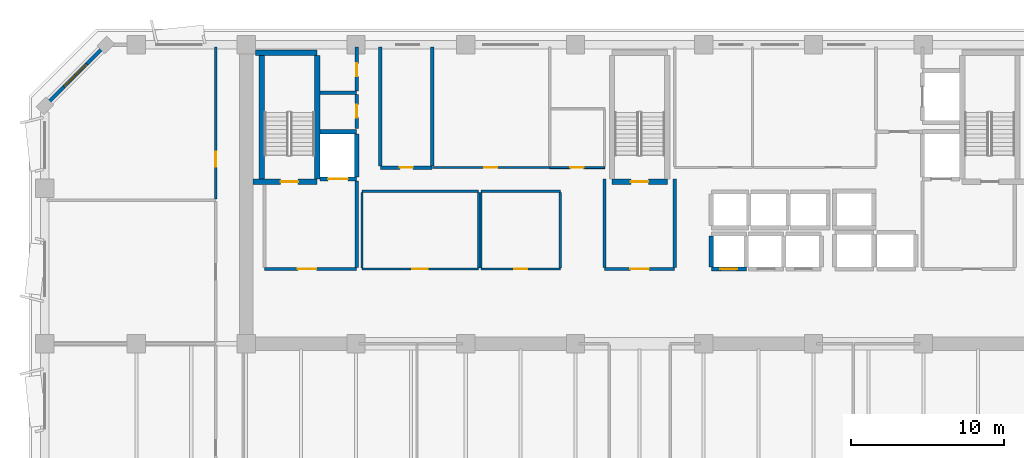
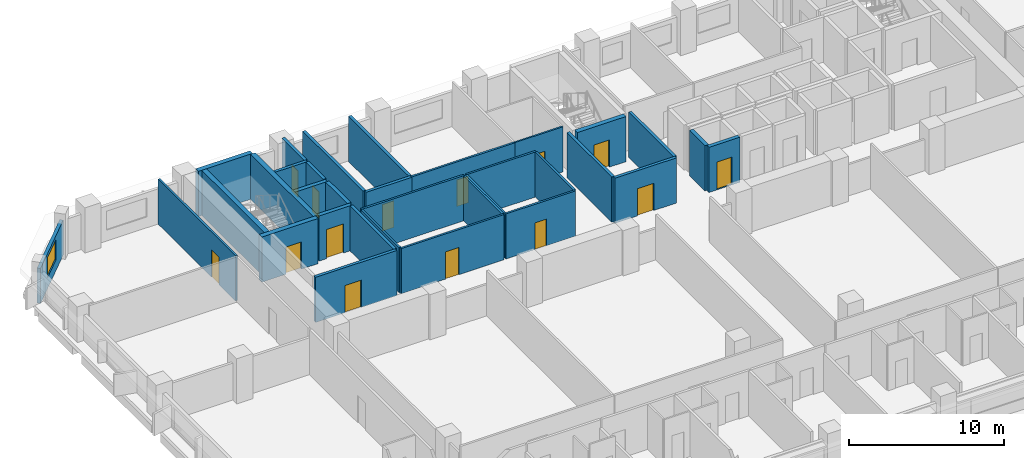
# One storey, part 7 of 15: 33 walls, 14 doors, 1 window, 15 openings.
"""IFC4 building model written with IfcOpenShell, lengths in metres."""

from ifc_helpers import new_model, si_unit, direction, frame, frame_2d, origin, place, context, subcontext, project, spatial, rectangle, extrude, material, layer, layer_set, type_object, element, fill, save


model = new_model("IFC4")

# Units and contexts
model_context = context("Model", 3, precision=1e-05, world=origin(), true_north=direction((0.0, 1.0)))
body_context = subcontext(model_context, "Body", "Model", "MODEL_VIEW")
ifc_project = project(units=[si_unit("LENGTHUNIT", "METRE"), si_unit("AREAUNIT", "SQUARE_METRE"), si_unit("VOLUMEUNIT", "CUBIC_METRE"), si_unit("PLANEANGLEUNIT", "RADIAN"), si_unit("MASSUNIT", "GRAM", prefix="KILO")], contexts=[model_context])

# Site, building, storey
site_placement = place(None, origin())
site = spatial("IfcSite", under=ifc_project, at=site_placement, CompositionType="ELEMENT")
building_placement = place(site_placement, origin())
building = spatial("IfcBuilding", under=site, at=building_placement, Name="Kaelvorn Grand Hotel", CompositionType="ELEMENT")
storey_placement = place(building_placement, frame((0.0, 0.0, 146.75)))
storey = spatial("IfcBuildingStorey", under=building, at=storey_placement, Name="L35", CompositionType="ELEMENT", Elevation=146.75)

# Wall, opening, window
ifc_material_1 = material(Name="Concrete C40/50", Category="concrete")
ifc_layer_1 = layer(ifc_material_1, 0.239990234375)
ifc_layer_set_1 = layer_set([ifc_layer_1], Name="Concrete C40/50")
wall_type_1 = type_object("IfcWallType", Name="WL-EXT-240-C40", PredefinedType="SOLIDWALL", material=ifc_layer_set_1)
wall_1_placement = place(storey_placement, frame((7.0, 49.0, 0.0), z_axis=(0.0, 0.0, 1.0), x_axis=(-0.707106781187, -0.707106781187, 0.0)))
wall_1 = element("IfcWall", 1, at=wall_1_placement, inside=storey, type_object=wall_type_1, Name="L35 Exterior Architectural Concrete Wall 06", PredefinedType="SOLIDWALL", context=body_context, shape_type="SweptSolid", body=[
    extrude(rectangle(XDim=5.65673828125, YDim=0.239990234375, at=frame_2d((2.828369140625, 0.0))), origin(), (0.0, 0.0, 1.0), 2.760009765625),
])
opening_1_placement = place(wall_1_placement, frame((1.7783203125, 0.0, 0.85009765625)))
opening_1 = element("IfcOpeningElement", 2, at=opening_1_placement, cuts=wall_1, Name="Opening W7", PredefinedType="OPENING", context=body_context, shape_type="SweptSolid", body=[
    extrude(rectangle(XDim=2.10009765625, YDim=1.60009765625, at=frame_2d((1.050048828125, 0.800048828125))), frame((0.0, 0.1298828125, 0.0), z_axis=(0.0, -1.0, 0.0), x_axis=(1.0, 0.0, 0.0)), (0.0, 0.0, 1.0), 0.260009765625),
])
ifc_material_2 = material(Name="Laminated Low-E Glass", Category="glass")
window_type = type_object("IfcWindowType", Name="WIN-CHM-2100x1600", PartitioningType="SINGLE_PANEL", PredefinedType="WINDOW", material=ifc_material_2)
window_placement = place(opening_1_placement, origin())
window = element("IfcWindow", 3, at=window_placement, inside=storey, type_object=window_type, Name="L35 Chamfered 45-Degree Corner Window NW", OverallHeight=1.60009765625, OverallWidth=2.10009765625, PartitioningType="SINGLE_PANEL", PredefinedType="WINDOW", context=body_context, shape_type="SweptSolid", body=[
    extrude(rectangle(XDim=2.10009765625, YDim=1.60009765625, at=frame_2d((1.050048828125, 0.800048828125))), frame((0.0, 0.030029296875, 0.0), z_axis=(0.0, -1.0, 0.0), x_axis=(1.0, 0.0, 0.0)), (0.0, 0.0, 1.0), 0.06005859375),
])
fill(opening_1, window)

# Wall, opening, door
ifc_material_3 = material(Name="Moisture-Resistant Tile & Stud Board")
ifc_layer_2 = layer(ifc_material_3, 0.125)
ifc_layer_set_2 = layer_set([ifc_layer_2], Name="Moisture-Resistant Tile & Stud Board")
wall_type_2 = type_object("IfcWallType", Name="WL-PART-125-WET", PredefinedType="PARTITIONING", material=ifc_layer_set_2)
wall_2_placement = place(storey_placement, frame((36.110107421875, 40.949951171875, 0.0), z_axis=(0.0, 0.0, 1.0), x_axis=(1.0, 0.0, 0.0)))
wall_2 = element("IfcWall", 4, at=wall_2_placement, inside=storey, type_object=wall_type_2, Name="L35 Accessible WC S Partition", PredefinedType="PARTITIONING", context=body_context, shape_type="SweptSolid", body=[
    extrude(rectangle(XDim=3.58984375, YDim=0.125, at=frame_2d((1.794921875, 0.0))), origin(), (0.0, 0.0, 1.0), 3.56005859375),
])
opening_2_placement = place(wall_2_placement, frame((1.340087890625, 0.0, 0.0)))
opening_2 = element("IfcOpeningElement", 5, at=opening_2_placement, cuts=wall_2, Name="Opening DI4", PredefinedType="OPENING", context=body_context, shape_type="SweptSolid", body=[
    extrude(rectangle(XDim=0.89990234375, YDim=2.10009765625, at=frame_2d((0.449951171875, 1.050048828125))), frame((0.0, 0.072509765625, 0.0), z_axis=(0.0, -1.0, 0.0), x_axis=(1.0, 0.0, 0.0)), (0.0, 0.0, 1.0), 0.14501953125),
])
ifc_material_4 = material(Name="Timber Veneer Leaf", Category="wood")
door_type_1 = type_object("IfcDoorType", Name="DR-INT-BATH-900x2100", OperationType="NOTDEFINED", PredefinedType="DOOR", material=ifc_material_4)
door_1_placement = place(opening_2_placement, origin())
door_1 = element("IfcDoor", 6, at=door_1_placement, inside=storey, type_object=door_type_1, Name="L35 Accessible WC Door", OperationType="SINGLE_SWING_RIGHT", OverallHeight=2.10009765625, OverallWidth=0.89990234375, PredefinedType="DOOR", context=body_context, shape_type="SweptSolid", body=[
    extrude(rectangle(XDim=0.89990234375, YDim=2.10009765625, at=frame_2d((0.449951171875, 1.050048828125))), frame((0.0, 0.02490234375, 0.0), z_axis=(0.0, -1.0, 0.0), x_axis=(1.0, 0.0, 0.0)), (0.0, 0.0, 1.0), 0.050048828125),
])
fill(opening_2, door_1)

ifc_material_5 = material(Name="Acoustic Gypsum & Stud Partition")
ifc_layer_3 = layer(ifc_material_5, 0.14990234375)
ifc_layer_set_3 = layer_set([ifc_layer_3], Name="Acoustic Gypsum & Stud Partition")
wall_type_3 = type_object("IfcWallType", Name="WL-PART-150-EI60", PredefinedType="PARTITIONING", material=ifc_layer_set_3)
wall_3_placement = place(storey_placement, frame((31.60009765625, 34.300048828125, 0.0), z_axis=(0.0, 0.0, 1.0), x_axis=(1.0, 0.0, 0.0)))
wall_3 = element("IfcWall", 7, at=wall_3_placement, inside=storey, type_object=wall_type_3, Name="L35 Core Telecoms & BMS Server Room S Partition", PredefinedType="PARTITIONING", context=body_context, shape_type="SweptSolid", body=[
    extrude(rectangle(XDim=5.199951171875, YDim=0.14990234375, at=frame_2d((2.60009765625, 0.0))), origin(), (0.0, 0.0, 1.0), 3.56005859375),
])
opening_3_placement = place(wall_3_placement, frame((2.175048828125, 0.0, 0.0)))
opening_3 = element("IfcOpeningElement", 8, at=opening_3_placement, cuts=wall_3, Name="Opening DI7", PredefinedType="OPENING", context=body_context, shape_type="SweptSolid", body=[
    extrude(rectangle(XDim=0.85009765625, YDim=2.10009765625, at=frame_2d((0.425048828125, 1.050048828125))), frame((0.0, 0.0849609375, 0.0), z_axis=(0.0, -1.0, 0.0), x_axis=(1.0, 0.0, 0.0)), (0.0, 0.0, 1.0), 0.169921875),
])
ifc_material_6 = material(Name="Powder-Coated Steel Leaf", Category="steel")
door_type_2 = type_object("IfcDoorType", Name="DR-INT-RISER-850x2100", OperationType="NOTDEFINED", PredefinedType="DOOR", material=ifc_material_6)
door_2_placement = place(opening_3_placement, origin())
door_2 = element("IfcDoor", 9, at=door_2_placement, inside=storey, type_object=door_type_2, Name="L35 Core Telecoms & BMS Server Room Door", OperationType="SINGLE_SWING_RIGHT", OverallHeight=2.10009765625, OverallWidth=0.85009765625, PredefinedType="DOOR", context=body_context, shape_type="SweptSolid", body=[
    extrude(rectangle(XDim=0.85009765625, YDim=2.10009765625, at=frame_2d((0.425048828125, 1.050048828125))), frame((0.0, 0.02490234375, 0.0), z_axis=(0.0, -1.0, 0.0), x_axis=(1.0, 0.0, 0.0)), (0.0, 0.0, 1.0), 0.050048828125),
])
fill(opening_3, door_2)

# Walls
wall_4_placement = place(storey_placement, frame((31.60009765625, 39.39990234375, 0.0), z_axis=(0.0, 0.0, 1.0), x_axis=(1.0, 0.0, 0.0)))
element("IfcWall", 10, at=wall_4_placement, inside=storey, type_object=wall_type_3, Name="L35 Core Telecoms & BMS Server Room N Partition", PredefinedType="PARTITIONING", context=body_context, shape_type="SweptSolid", body=[
    extrude(rectangle(XDim=5.199951171875, YDim=0.14990234375, at=frame_2d((2.60009765625, 0.0))), origin(), (0.0, 0.0, 1.0), 3.56005859375),
])
for number, where, z_axis, x_axis, name in (
    (11, (31.60009765625, 34.3798828125, 0.0), (0.0, 0.0, 1.0), (0.0, 1.0, 0.0), "L35 Core Telecoms & BMS Server Room W Partition"),
    (12, (36.800048828125, 34.3798828125, 0.0), (0.0, 0.0, 1.0), (0.0, 1.0, 0.0), "L35 Core Telecoms & BMS Server Room E Partition"),
):
    element("IfcWall", number, at=place(storey_placement, frame(where, z_axis=z_axis, x_axis=x_axis)), inside=storey, type_object=wall_type_3, Name=name, PredefinedType="PARTITIONING", context=body_context, shape_type="SweptSolid", body=[
        extrude(rectangle(XDim=4.940185546875, YDim=0.14990234375, at=frame_2d((2.47021484375, 0.0))), origin(), (0.0, 0.0, 1.0), 3.56005859375),
    ])

# Wall, opening, door
wall_5_placement = place(storey_placement, frame((23.800048828125, 34.300048828125, 0.0), z_axis=(0.0, 0.0, 1.0), x_axis=(1.0, 0.0, 0.0)))
wall_5 = element("IfcWall", 13, at=wall_5_placement, inside=storey, type_object=wall_type_3, Name="L35 Executive Club Sitting Lounge S Partition", PredefinedType="PARTITIONING", context=body_context, shape_type="SweptSolid", body=[
    extrude(rectangle(XDim=7.64990234375, YDim=0.14990234375, at=frame_2d((3.824951171875, 0.0))), origin(), (0.0, 0.0, 1.0), 3.56005859375),
])
opening_4_placement = place(wall_5_placement, frame((3.300048828125, 0.0, 0.0)))
opening_4 = element("IfcOpeningElement", 14, at=opening_4_placement, cuts=wall_5, Name="Opening DI3", PredefinedType="OPENING", context=body_context, shape_type="SweptSolid", body=[
    extrude(rectangle(XDim=1.0, YDim=2.14990234375, at=frame_2d((0.5, 1.074951171875))), frame((0.0, 0.0849609375, 0.0), z_axis=(0.0, -1.0, 0.0), x_axis=(1.0, 0.0, 0.0)), (0.0, 0.0, 1.0), 0.169921875),
])
ifc_material_7 = material(Name="Timber Veneer Fire Leaf", Category="wood")
door_type_3 = type_object("IfcDoorType", Name="DR-INT-GUEST-1000x2150", OperationType="NOTDEFINED", PredefinedType="DOOR", material=ifc_material_7)
door_3_placement = place(opening_4_placement, origin())
door_3 = element("IfcDoor", 15, at=door_3_placement, inside=storey, type_object=door_type_3, Name="L35 Executive Club Sitting Lounge Door", OperationType="SINGLE_SWING_LEFT", OverallHeight=2.14990234375, OverallWidth=1.0, PredefinedType="DOOR", context=body_context, shape_type="SweptSolid", body=[
    extrude(rectangle(XDim=1.0, YDim=2.14990234375, at=frame_2d((0.5, 1.074951171875))), frame((0.0, 0.02490234375, 0.0), z_axis=(0.0, -1.0, 0.0), x_axis=(1.0, 0.0, 0.0)), (0.0, 0.0, 1.0), 0.050048828125),
])
fill(opening_4, door_3)

# Walls
wall_6_placement = place(storey_placement, frame((23.800048828125, 39.39990234375, 0.0), z_axis=(0.0, 0.0, 1.0), x_axis=(1.0, 0.0, 0.0)))
element("IfcWall", 16, at=wall_6_placement, inside=storey, type_object=wall_type_3, Name="L35 Executive Club Sitting Lounge N Partition", PredefinedType="PARTITIONING", context=body_context, shape_type="SweptSolid", body=[
    extrude(rectangle(XDim=7.64990234375, YDim=0.14990234375, at=frame_2d((3.824951171875, 0.0))), origin(), (0.0, 0.0, 1.0), 3.56005859375),
])
for number, where, z_axis, x_axis, name in (
    (17, (23.800048828125, 34.3798828125, 0.0), (0.0, 0.0, 1.0), (0.0, 1.0, 0.0), "L35 Executive Club Sitting Lounge W Partition"),
    (18, (31.449951171875, 34.3798828125, 0.0), (0.0, 0.0, 1.0), (0.0, 1.0, 0.0), "L35 Executive Club Sitting Lounge E Partition"),
):
    element("IfcWall", number, at=place(storey_placement, frame(where, z_axis=z_axis, x_axis=x_axis)), inside=storey, type_object=wall_type_3, Name=name, PredefinedType="PARTITIONING", context=body_context, shape_type="SweptSolid", body=[
        extrude(rectangle(XDim=4.940185546875, YDim=0.14990234375, at=frame_2d((2.47021484375, 0.0))), origin(), (0.0, 0.0, 1.0), 3.56005859375),
    ])

# Wall, opening, door
wall_7_placement = place(storey_placement, frame((28.409912109375, 40.949951171875, 0.0), z_axis=(0.0, 0.0, 1.0), x_axis=(1.0, 0.0, 0.0)))
wall_7 = element("IfcWall", 19, at=wall_7_placement, inside=storey, type_object=wall_type_3, Name="L35 Housekeeping & Linen Room S Partition", PredefinedType="PARTITIONING", context=body_context, shape_type="SweptSolid", body=[
    extrude(rectangle(XDim=7.690185546875, YDim=0.14990234375, at=frame_2d((3.84521484375, 0.0))), origin(), (0.0, 0.0, 1.0), 3.56005859375),
])
opening_5_placement = place(wall_7_placement, frame((3.4150390625, 0.0, 0.0)))
opening_5 = element("IfcOpeningElement", 20, at=opening_5_placement, cuts=wall_7, Name="Opening DI7", PredefinedType="OPENING", context=body_context, shape_type="SweptSolid", body=[
    extrude(rectangle(XDim=0.85009765625, YDim=2.10009765625, at=frame_2d((0.425048828125, 1.050048828125))), frame((0.0, 0.0849609375, 0.0), z_axis=(0.0, -1.0, 0.0), x_axis=(1.0, 0.0, 0.0)), (0.0, 0.0, 1.0), 0.169921875),
])
door_4_placement = place(opening_5_placement, origin())
door_4 = element("IfcDoor", 21, at=door_4_placement, inside=storey, type_object=door_type_2, Name="L35 Housekeeping & Linen Room Door", OperationType="SINGLE_SWING_LEFT", OverallHeight=2.10009765625, OverallWidth=0.85009765625, PredefinedType="DOOR", context=body_context, shape_type="SweptSolid", body=[
    extrude(rectangle(XDim=0.85009765625, YDim=2.10009765625, at=frame_2d((0.425048828125, 1.050048828125))), frame((0.0, 0.02490234375, 0.0), z_axis=(0.0, -1.0, 0.0), x_axis=(1.0, 0.0, 0.0)), (0.0, 0.0, 1.0), 0.050048828125),
])
fill(opening_5, door_4)

wall_8_placement = place(storey_placement, frame((14.199951171875, 38.8798828125, 0.0), z_axis=(0.0, 0.0, 1.0), x_axis=(0.0, 1.0, 0.0)))
wall_8 = element("IfcWall", 22, at=wall_8_placement, inside=storey, type_object=wall_type_3, Name="L35 North-West Hospitality Tea Kitchen E Partition", PredefinedType="PARTITIONING", context=body_context, shape_type="SweptSolid", body=[
    extrude(rectangle(XDim=9.97021484375, YDim=0.14990234375, at=frame_2d((4.985107421875, 0.0))), origin(), (0.0, 0.0, 1.0), 3.56005859375),
])
opening_6_placement = place(wall_8_placement, frame((2.1201171875, 0.0, 0.0)))
opening_6 = element("IfcOpeningElement", 23, at=opening_6_placement, cuts=wall_8, Name="Opening DI3", PredefinedType="OPENING", context=body_context, shape_type="SweptSolid", body=[
    extrude(rectangle(XDim=1.0, YDim=2.14990234375, at=frame_2d((0.5, 1.074951171875))), frame((0.0, 0.0849609375, 0.0), z_axis=(0.0, -1.0, 0.0), x_axis=(1.0, 0.0, 0.0)), (0.0, 0.0, 1.0), 0.169921875),
])
door_5_placement = place(opening_6_placement, origin())
door_5 = element("IfcDoor", 24, at=door_5_placement, inside=storey, type_object=door_type_3, Name="L35 North-West Hospitality Tea Kitchen Door", OperationType="SINGLE_SWING_RIGHT", OverallHeight=2.14990234375, OverallWidth=1.0, PredefinedType="DOOR", context=body_context, shape_type="SweptSolid", body=[
    extrude(rectangle(XDim=1.0, YDim=2.14990234375, at=frame_2d((0.5, 1.074951171875))), frame((0.0, 0.02490234375, 0.0), z_axis=(0.0, -1.0, 0.0), x_axis=(1.0, 0.0, 0.0)), (0.0, 0.0, 1.0), 0.050048828125),
])
fill(opening_6, door_5)

ifc_layer_4 = layer(ifc_material_1, 0.219970703125)
ifc_layer_set_4 = layer_set([ifc_layer_4], Name="Concrete C40/50")
wall_type_4 = type_object("IfcWallType", Name="WL-PART-220-EI120", PredefinedType="PARTITIONING", material=ifc_layer_set_4)
wall_9_placement = place(storey_placement, frame((17.39990234375, 34.300048828125, 0.0), z_axis=(0.0, 0.0, 1.0), x_axis=(1.0, 0.0, 0.0)))
wall_9 = element("IfcWall", 25, at=wall_9_placement, inside=storey, type_object=wall_type_4, Name="L35 Firefighting Lift Lobby 1 S Partition", PredefinedType="PARTITIONING", context=body_context, shape_type="SweptSolid", body=[
    extrude(rectangle(XDim=6.050048828125, YDim=0.219970703125, at=frame_2d((3.02490234375, 0.0))), origin(), (0.0, 0.0, 1.0), 3.56005859375),
])
opening_7_placement = place(wall_9_placement, frame((2.199951171875, 0.0, 0.0)))
opening_7 = element("IfcOpeningElement", 26, at=opening_7_placement, cuts=wall_9, Name="Opening DI2", PredefinedType="OPENING", context=body_context, shape_type="SweptSolid", body=[
    extrude(rectangle(XDim=1.199951171875, YDim=2.14990234375, at=frame_2d((0.60009765625, 1.074951171875))), frame((0.0, 0.1201171875, 0.0), z_axis=(0.0, -1.0, 0.0), x_axis=(1.0, 0.0, 0.0)), (0.0, 0.0, 1.0), 0.239990234375),
])
door_type_4 = type_object("IfcDoorType", Name="DR-INT-FFLOB-1200x2150", OperationType="NOTDEFINED", PredefinedType="DOOR", material=ifc_material_7)
door_6_placement = place(opening_7_placement, origin())
door_6 = element("IfcDoor", 27, at=door_6_placement, inside=storey, type_object=door_type_4, Name="L35 Firefighting Lift Lobby 1 Door", OperationType="SINGLE_SWING_RIGHT", OverallHeight=2.14990234375, OverallWidth=1.199951171875, PredefinedType="DOOR", context=body_context, shape_type="SweptSolid", body=[
    extrude(rectangle(XDim=1.199951171875, YDim=2.14990234375, at=frame_2d((0.60009765625, 1.074951171875))), frame((0.0, 0.02490234375, 0.0), z_axis=(0.0, -1.0, 0.0), x_axis=(1.0, 0.0, 0.0)), (0.0, 0.0, 1.0), 0.050048828125),
])
fill(opening_7, door_6)

# Wall
wall_10_placement = place(storey_placement, frame((23.449951171875, 34.4150390625, 0.0), z_axis=(0.0, 0.0, 1.0), x_axis=(0.0, 1.0, 0.0)))
element("IfcWall", 28, at=wall_10_placement, inside=storey, type_object=wall_type_4, Name="L35 Firefighting Lift Lobby 1 E Partition", PredefinedType="PARTITIONING", context=body_context, shape_type="SweptSolid", body=[
    extrude(rectangle(XDim=5.639892578125, YDim=0.219970703125, at=frame_2d((2.81982421875, 0.0))), origin(), (0.0, 0.0, 1.0), 3.56005859375),
])

# Wall, opening, door
wall_11_placement = place(storey_placement, frame((39.699951171875, 34.300048828125, 0.0), z_axis=(0.0, 0.0, 1.0), x_axis=(1.0, 0.0, 0.0)))
wall_11 = element("IfcWall", 29, at=wall_11_placement, inside=storey, type_object=wall_type_4, Name="L35 Central Stair Escape Vestibule S Partition", PredefinedType="PARTITIONING", context=body_context, shape_type="SweptSolid", body=[
    extrude(rectangle(XDim=4.60009765625, YDim=0.219970703125, at=frame_2d((2.300048828125, 0.0))), origin(), (0.0, 0.0, 1.0), 3.56005859375),
])
opening_8_placement = place(wall_11_placement, frame((1.699951171875, 0.0, 0.0)))
opening_8 = element("IfcOpeningElement", 30, at=opening_8_placement, cuts=wall_11, Name="Opening DI2", PredefinedType="OPENING", context=body_context, shape_type="SweptSolid", body=[
    extrude(rectangle(XDim=1.199951171875, YDim=2.14990234375, at=frame_2d((0.60009765625, 1.074951171875))), frame((0.0, 0.1201171875, 0.0), z_axis=(0.0, -1.0, 0.0), x_axis=(1.0, 0.0, 0.0)), (0.0, 0.0, 1.0), 0.239990234375),
])
door_7_placement = place(opening_8_placement, origin())
door_7 = element("IfcDoor", 31, at=door_7_placement, inside=storey, type_object=door_type_4, Name="L35 Central Stair Escape Vestibule Door", OperationType="SINGLE_SWING_RIGHT", OverallHeight=2.14990234375, OverallWidth=1.199951171875, PredefinedType="DOOR", context=body_context, shape_type="SweptSolid", body=[
    extrude(rectangle(XDim=1.199951171875, YDim=2.14990234375, at=frame_2d((0.60009765625, 1.074951171875))), frame((0.0, 0.02490234375, 0.0), z_axis=(0.0, -1.0, 0.0), x_axis=(1.0, 0.0, 0.0)), (0.0, 0.0, 1.0), 0.050048828125),
])
fill(opening_8, door_7)

# Walls
for number, where, z_axis, x_axis, name in (
    (32, (39.699951171875, 34.4150390625, 0.0), (0.0, 0.0, 1.0), (0.0, 1.0, 0.0), "L35 Central Stair Escape Vestibule W Partition"),
    (33, (44.300048828125, 34.4150390625, 0.0), (0.0, 0.0, 1.0), (0.0, 1.0, 0.0), "L35 Central Stair Escape Vestibule E Partition"),
):
    element("IfcWall", number, at=place(storey_placement, frame(where, z_axis=z_axis, x_axis=x_axis)), inside=storey, type_object=wall_type_4, Name=name, PredefinedType="PARTITIONING", context=body_context, shape_type="SweptSolid", body=[
        extrude(rectangle(XDim=5.784912109375, YDim=0.219970703125, at=frame_2d((2.892578125, 0.0))), origin(), (0.0, 0.0, 1.0), 3.56005859375),
    ])
wall_12_placement = place(storey_placement, frame((21.034912109375, 45.85009765625, 0.0), z_axis=(0.0, 0.0, 1.0), x_axis=(1.0, 0.0, 0.0)))
element("IfcWall", 34, at=wall_12_placement, inside=storey, type_object=wall_type_4, Name="L35 Wet Fire & Plumbing Riser Shaft N Partition", PredefinedType="PARTITIONING", context=body_context, shape_type="SweptSolid", body=[
    extrude(rectangle(XDim=2.4150390625, YDim=0.219970703125, at=frame_2d((1.20751953125, 0.0))), origin(), (0.0, 0.0, 1.0), 3.56005859375),
])

# Wall, opening, door
wall_13_placement = place(storey_placement, frame((23.449951171875, 43.5, 0.0), z_axis=(0.0, 0.0, 1.0), x_axis=(0.0, 1.0, 0.0)))
wall_13 = element("IfcWall", 35, at=wall_13_placement, inside=storey, type_object=wall_type_4, Name="L35 Wet Fire & Plumbing Riser Shaft E Partition", PredefinedType="PARTITIONING", context=body_context, shape_type="SweptSolid", body=[
    extrude(rectangle(XDim=2.235107421875, YDim=0.219970703125, at=frame_2d((1.11767578125, 0.0))), origin(), (0.0, 0.0, 1.0), 3.56005859375),
])
opening_9_placement = place(wall_13_placement, frame((0.72509765625, 0.0, 0.0)))
opening_9 = element("IfcOpeningElement", 36, at=opening_9_placement, cuts=wall_13, Name="Opening DI7", PredefinedType="OPENING", context=body_context, shape_type="SweptSolid", body=[
    extrude(rectangle(XDim=0.85009765625, YDim=2.10009765625, at=frame_2d((0.425048828125, 1.050048828125))), frame((0.0, 0.1201171875, 0.0), z_axis=(0.0, -1.0, 0.0), x_axis=(1.0, 0.0, 0.0)), (0.0, 0.0, 1.0), 0.239990234375),
])
door_8_placement = place(opening_9_placement, origin())
door_8 = element("IfcDoor", 37, at=door_8_placement, inside=storey, type_object=door_type_2, Name="L35 Wet Fire & Plumbing Riser Shaft Door", OperationType="SINGLE_SWING_RIGHT", OverallHeight=2.10009765625, OverallWidth=0.85009765625, PredefinedType="DOOR", context=body_context, shape_type="SweptSolid", body=[
    extrude(rectangle(XDim=0.85009765625, YDim=2.10009765625, at=frame_2d((0.425048828125, 1.050048828125))), frame((0.0, 0.02490234375, 0.0), z_axis=(0.0, -1.0, 0.0), x_axis=(1.0, 0.0, 0.0)), (0.0, 0.0, 1.0), 0.050048828125),
])
fill(opening_9, door_8)

wall_14_placement = place(storey_placement, frame((23.449951171875, 45.965087890625, 0.0), z_axis=(0.0, 0.0, 1.0), x_axis=(0.0, 1.0, 0.0)))
wall_14 = element("IfcWall", 38, at=wall_14_placement, inside=storey, type_object=wall_type_4, Name="L35 HV Electrical & Smoke Riser E Partition", PredefinedType="PARTITIONING", context=body_context, shape_type="SweptSolid", body=[
    extrude(rectangle(XDim=2.885009765625, YDim=0.219970703125, at=frame_2d((1.4423828125, 0.0))), origin(), (0.0, 0.0, 1.0), 3.56005859375),
])
opening_10_placement = place(wall_14_placement, frame((0.9599609375, 0.0, 0.0)))
opening_10 = element("IfcOpeningElement", 39, at=opening_10_placement, cuts=wall_14, Name="Opening DI7", PredefinedType="OPENING", context=body_context, shape_type="SweptSolid", body=[
    extrude(rectangle(XDim=0.85009765625, YDim=2.10009765625, at=frame_2d((0.425048828125, 1.050048828125))), frame((0.0, 0.1201171875, 0.0), z_axis=(0.0, -1.0, 0.0), x_axis=(1.0, 0.0, 0.0)), (0.0, 0.0, 1.0), 0.239990234375),
])
door_9_placement = place(opening_10_placement, origin())
door_9 = element("IfcDoor", 40, at=door_9_placement, inside=storey, type_object=door_type_2, Name="L35 HV Electrical & Smoke Riser Door", OperationType="SINGLE_SWING_LEFT", OverallHeight=2.10009765625, OverallWidth=0.85009765625, PredefinedType="DOOR", context=body_context, shape_type="SweptSolid", body=[
    extrude(rectangle(XDim=0.85009765625, YDim=2.10009765625, at=frame_2d((0.425048828125, 1.050048828125))), frame((0.0, 0.02490234375, 0.0), z_axis=(0.0, -1.0, 0.0), x_axis=(1.0, 0.0, 0.0)), (0.0, 0.0, 1.0), 0.050048828125),
])
fill(opening_10, door_9)

wall_15_placement = place(storey_placement, frame((25.0, 40.949951171875, 0.0), z_axis=(0.0, 0.0, 1.0), x_axis=(1.0, 0.0, 0.0)))
wall_15 = element("IfcWall", 41, at=wall_15_placement, inside=storey, type_object=wall_type_4, Name="L35 Electrical Distribution Room S Partition", PredefinedType="PARTITIONING", context=body_context, shape_type="SweptSolid", body=[
    extrude(rectangle(XDim=3.39990234375, YDim=0.219970703125, at=frame_2d((1.699951171875, 0.0))), origin(), (0.0, 0.0, 1.0), 3.56005859375),
])
opening_11_placement = place(wall_15_placement, frame((1.27490234375, 0.0, 0.0)))
opening_11 = element("IfcOpeningElement", 42, at=opening_11_placement, cuts=wall_15, Name="Opening DI7", PredefinedType="OPENING", context=body_context, shape_type="SweptSolid", body=[
    extrude(rectangle(XDim=0.85009765625, YDim=2.10009765625, at=frame_2d((0.425048828125, 1.050048828125))), frame((0.0, 0.1201171875, 0.0), z_axis=(0.0, -1.0, 0.0), x_axis=(1.0, 0.0, 0.0)), (0.0, 0.0, 1.0), 0.239990234375),
])
door_10_placement = place(opening_11_placement, origin())
door_10 = element("IfcDoor", 43, at=door_10_placement, inside=storey, type_object=door_type_2, Name="L35 Electrical Distribution Room Door", OperationType="SINGLE_SWING_RIGHT", OverallHeight=2.10009765625, OverallWidth=0.85009765625, PredefinedType="DOOR", context=body_context, shape_type="SweptSolid", body=[
    extrude(rectangle(XDim=0.85009765625, YDim=2.10009765625, at=frame_2d((0.425048828125, 1.050048828125))), frame((0.0, 0.02490234375, 0.0), z_axis=(0.0, -1.0, 0.0), x_axis=(1.0, 0.0, 0.0)), (0.0, 0.0, 1.0), 0.050048828125),
])
fill(opening_11, door_10)

# Walls
for number, where, z_axis, x_axis, name in (
    (44, (25.0, 41.06494140625, 0.0), (0.0, 0.0, 1.0), (0.0, 1.0, 0.0), "L35 Electrical Distribution Room W Partition"),
    (45, (28.39990234375, 41.06494140625, 0.0), (0.0, 0.0, 1.0), (0.0, 1.0, 0.0), "L35 Electrical Distribution Room E Partition"),
):
    element("IfcWall", number, at=place(storey_placement, frame(where, z_axis=z_axis, x_axis=x_axis)), inside=storey, type_object=wall_type_4, Name=name, PredefinedType="PARTITIONING", context=body_context, shape_type="SweptSolid", body=[
        extrude(rectangle(XDim=7.78515625, YDim=0.219970703125, at=frame_2d((3.892578125, 0.0))), origin(), (0.0, 0.0, 1.0), 3.56005859375),
    ])

# Wall, opening, door
ifc_material_8 = material(Name="Concrete C50/60", Category="concrete")
ifc_layer_5 = layer(ifc_material_8, 0.280029296875)
ifc_layer_set_5 = layer_set([ifc_layer_5], Name="Concrete C50/60")
wall_type_5 = type_object("IfcWallType", Name="WL-SHAFT-280-C50", PredefinedType="SHEAR", material=ifc_layer_set_5)
wall_16_placement = place(storey_placement, frame((46.699951171875, 34.300048828125, 0.0), z_axis=(0.0, 0.0, 1.0), x_axis=(1.0, 0.0, 0.0)))
wall_16 = element("IfcWall", 46, at=wall_16_placement, inside=storey, type_object=wall_type_5, Name="L35 Lift PL-M1 Shaft South Wall", PredefinedType="SHEAR", context=body_context, shape_type="SweptSolid", body=[
    extrude(rectangle(XDim=2.300048828125, YDim=0.280029296875, at=frame_2d((1.14990234375, 0.0))), origin(), (0.0, 0.0, 1.0), 3.56005859375),
])
opening_12_placement = place(wall_16_placement, frame((0.60009765625, 0.0, 0.0)))
opening_12 = element("IfcOpeningElement", 47, at=opening_12_placement, cuts=wall_16, Name="Opening LD-PL-M1", PredefinedType="OPENING", context=body_context, shape_type="SweptSolid", body=[
    extrude(rectangle(XDim=1.10009765625, YDim=2.199951171875, at=frame_2d((0.550048828125, 1.10009765625))), frame((0.0, 0.14990234375, 0.0), z_axis=(0.0, -1.0, 0.0), x_axis=(1.0, 0.0, 0.0)), (0.0, 0.0, 1.0), 0.300048828125),
])
ifc_material_9 = material(Name="Stainless Steel", Category="steel")
door_type_5 = type_object("IfcDoorType", Name="DR-LIFT-PASS-1100x2200", OperationType="DOUBLE_DOOR_SLIDING", PredefinedType="DOOR", material=ifc_material_9)
door_11_placement = place(opening_12_placement, origin())
door_11 = element("IfcDoor", 48, at=door_11_placement, inside=storey, type_object=door_type_5, Name="L35 Lift PL-M1 Sliding Landing Door LD-PL-M1", OperationType="DOUBLE_DOOR_SLIDING", OverallHeight=2.199951171875, OverallWidth=1.10009765625, PredefinedType="DOOR", context=body_context, shape_type="SweptSolid", body=[
    extrude(rectangle(XDim=1.10009765625, YDim=2.199951171875, at=frame_2d((0.550048828125, 1.10009765625))), frame((0.0, 0.02490234375, 0.0), z_axis=(0.0, -1.0, 0.0), x_axis=(1.0, 0.0, 0.0)), (0.0, 0.0, 1.0), 0.050048828125),
])
fill(opening_12, door_11)

# Wall
wall_17_placement = place(storey_placement, frame((46.699951171875, 34.445068359375, 0.0), z_axis=(0.0, 0.0, 1.0), x_axis=(0.0, 1.0, 0.0)))
element("IfcWall", 49, at=wall_17_placement, inside=storey, type_object=wall_type_5, Name="L35 Lift PL-M1 Shaft West Wall", PredefinedType="SHEAR", context=body_context, shape_type="SweptSolid", body=[
    extrude(rectangle(XDim=2.010009765625, YDim=0.280029296875, at=frame_2d((1.0048828125, 0.0))), origin(), (0.0, 0.0, 1.0), 3.56005859375),
])

# Wall, opening, door
wall_18_placement = place(storey_placement, frame((21.034912109375, 40.199951171875, 0.0), z_axis=(0.0, 0.0, 1.0), x_axis=(1.0, 0.0, 0.0)))
wall_18 = element("IfcWall", 50, at=wall_18_placement, inside=storey, type_object=wall_type_5, Name="L35 Lift FFL1 Shaft South Wall", PredefinedType="SHEAR", context=body_context, shape_type="SweptSolid", body=[
    extrude(rectangle(XDim=2.4150390625, YDim=0.280029296875, at=frame_2d((1.20751953125, 0.0))), origin(), (0.0, 0.0, 1.0), 3.56005859375),
])
opening_13_placement = place(wall_18_placement, frame((0.5400390625, 0.0, 0.0)))
opening_13 = element("IfcOpeningElement", 51, at=opening_13_placement, cuts=wall_18, Name="Opening LD-FFL1", PredefinedType="OPENING", context=body_context, shape_type="SweptSolid", body=[
    extrude(rectangle(XDim=1.300048828125, YDim=2.300048828125, at=frame_2d((0.64990234375, 1.14990234375))), frame((0.0, 0.14990234375, 0.0), z_axis=(0.0, -1.0, 0.0), x_axis=(1.0, 0.0, 0.0)), (0.0, 0.0, 1.0), 0.300048828125),
])
door_type_6 = type_object("IfcDoorType", Name="DR-LIFT-SERV-1300x2300", OperationType="DOUBLE_DOOR_SLIDING", PredefinedType="DOOR", material=ifc_material_9)
door_12_placement = place(opening_13_placement, origin())
door_12 = element("IfcDoor", 52, at=door_12_placement, inside=storey, type_object=door_type_6, Name="L35 Lift FFL1 Sliding Landing Door LD-FFL1", OperationType="DOUBLE_DOOR_SLIDING", OverallHeight=2.300048828125, OverallWidth=1.300048828125, PredefinedType="DOOR", context=body_context, shape_type="SweptSolid", body=[
    extrude(rectangle(XDim=1.300048828125, YDim=2.300048828125, at=frame_2d((0.64990234375, 1.14990234375))), frame((0.0, 0.02490234375, 0.0), z_axis=(0.0, -1.0, 0.0), x_axis=(1.0, 0.0, 0.0)), (0.0, 0.0, 1.0), 0.050048828125),
])
fill(opening_13, door_12)

# Walls
wall_19_placement = place(storey_placement, frame((21.034912109375, 43.300048828125, 0.0), z_axis=(0.0, 0.0, 1.0), x_axis=(1.0, 0.0, 0.0)))
element("IfcWall", 53, at=wall_19_placement, inside=storey, type_object=wall_type_5, Name="L35 Lift FFL1 Shaft North Wall", PredefinedType="SHEAR", context=body_context, shape_type="SweptSolid", body=[
    extrude(rectangle(XDim=2.4150390625, YDim=0.280029296875, at=frame_2d((1.20751953125, 0.0))), origin(), (0.0, 0.0, 1.0), 3.56005859375),
])
wall_20_placement = place(storey_placement, frame((23.449951171875, 40.344970703125, 0.0), z_axis=(0.0, 0.0, 1.0), x_axis=(0.0, 1.0, 0.0)))
element("IfcWall", 54, at=wall_20_placement, inside=storey, type_object=wall_type_5, Name="L35 Lift FFL1 Shaft East Wall", PredefinedType="SHEAR", context=body_context, shape_type="SweptSolid", body=[
    extrude(rectangle(XDim=2.81005859375, YDim=0.280029296875, at=frame_2d((1.405029296875, 0.0))), origin(), (0.0, 0.0, 1.0), 3.56005859375),
])

# Wall, opening, door
ifc_material_10 = material(Name="Concrete C60/75", Category="concrete")
ifc_layer_6 = layer(ifc_material_10, 0.35009765625)
ifc_layer_set_6 = layer_set([ifc_layer_6], Name="Concrete C60/75")
wall_type_6 = type_object("IfcWallType", Name="WL-SHAFT-350-C60", PredefinedType="SHEAR", material=ifc_layer_set_6)
wall_21_placement = place(storey_placement, frame((16.655029296875, 40.02490234375, 0.0), z_axis=(0.0, 0.0, 1.0), x_axis=(1.0, 0.0, 0.0)))
wall_21 = element("IfcWall", 55, at=wall_21_placement, inside=storey, type_object=wall_type_6, Name="L35 ST1 Stair Shaft South Wall", PredefinedType="SHEAR", context=body_context, shape_type="SweptSolid", body=[
    extrude(rectangle(XDim=4.199951171875, YDim=0.35009765625, at=frame_2d((2.10009765625, 0.0))), origin(), (0.0, 0.0, 1.0), 3.56005859375),
])
opening_14_placement = place(wall_21_placement, frame((1.81005859375, 0.0, 0.0)))
opening_14 = element("IfcOpeningElement", 56, at=opening_14_placement, cuts=wall_21, Name="Opening DI1", PredefinedType="OPENING", context=body_context, shape_type="SweptSolid", body=[
    extrude(rectangle(XDim=1.14990234375, YDim=2.14990234375, at=frame_2d((0.574951171875, 1.074951171875))), frame((0.0, 0.18505859375, 0.0), z_axis=(0.0, -1.0, 0.0), x_axis=(1.0, 0.0, 0.0)), (0.0, 0.0, 1.0), 0.3701171875),
])
door_type_7 = type_object("IfcDoorType", Name="DR-INT-STAIR-1150x2150", OperationType="NOTDEFINED", PredefinedType="DOOR", material=ifc_material_7)
door_13_placement = place(opening_14_placement, origin())
door_13 = element("IfcDoor", 57, at=door_13_placement, inside=storey, type_object=door_type_7, Name="L35 ST1 Exit Stair Fire Door", OperationType="SINGLE_SWING_LEFT", OverallHeight=2.14990234375, OverallWidth=1.14990234375, PredefinedType="DOOR", context=body_context, shape_type="SweptSolid", body=[
    extrude(rectangle(XDim=1.14990234375, YDim=2.14990234375, at=frame_2d((0.574951171875, 1.074951171875))), frame((0.0, 0.02490234375, 0.0), z_axis=(0.0, -1.0, 0.0), x_axis=(1.0, 0.0, 0.0)), (0.0, 0.0, 1.0), 0.050048828125),
])
fill(opening_14, door_13)

# Walls
wall_22_placement = place(storey_placement, frame((16.804931640625, 48.47509765625, 0.0), z_axis=(0.0, 0.0, 1.0), x_axis=(1.0, 0.0, 0.0)))
element("IfcWall", 58, at=wall_22_placement, inside=storey, type_object=wall_type_6, Name="L35 ST1 Stair Shaft North Wall", PredefinedType="SHEAR", context=body_context, shape_type="SweptSolid", body=[
    extrude(rectangle(XDim=4.050048828125, YDim=0.35009765625, at=frame_2d((2.02490234375, 0.0))), origin(), (0.0, 0.0, 1.0), 3.56005859375),
])
for number, where, z_axis, x_axis, name in (
    (59, (17.22509765625, 40.205078125, 0.0), (0.0, 0.0, 1.0), (0.0, 1.0, 0.0), "L35 ST1 Stair Shaft West Wall"),
    (60, (20.85498046875, 40.205078125, 0.0), (0.0, 0.0, 1.0), (0.0, 1.0, 0.0), "L35 ST1 Stair Shaft East Wall"),
):
    element("IfcWall", number, at=place(storey_placement, frame(where, z_axis=z_axis, x_axis=x_axis)), inside=storey, type_object=wall_type_6, Name=name, PredefinedType="SHEAR", context=body_context, shape_type="SweptSolid", body=[
        extrude(rectangle(XDim=8.08984375, YDim=0.35009765625, at=frame_2d((4.044921875, 0.0))), origin(), (0.0, 0.0, 1.0), 3.56005859375),
    ])

# Wall, opening, door
wall_23_placement = place(storey_placement, frame((40.18505859375, 40.02490234375, 0.0), z_axis=(0.0, 0.0, 1.0), x_axis=(1.0, 0.0, 0.0)))
wall_23 = element("IfcWall", 61, at=wall_23_placement, inside=storey, type_object=wall_type_6, Name="L35 ST2 Stair Shaft South Wall", PredefinedType="SHEAR", context=body_context, shape_type="SweptSolid", body=[
    extrude(rectangle(XDim=3.6298828125, YDim=0.35009765625, at=frame_2d((1.81494140625, 0.0))), origin(), (0.0, 0.0, 1.0), 3.56005859375),
])
opening_15_placement = place(wall_23_placement, frame((1.239990234375, 0.0, 0.0)))
opening_15 = element("IfcOpeningElement", 62, at=opening_15_placement, cuts=wall_23, Name="Opening DI1", PredefinedType="OPENING", context=body_context, shape_type="SweptSolid", body=[
    extrude(rectangle(XDim=1.14990234375, YDim=2.14990234375, at=frame_2d((0.574951171875, 1.074951171875))), frame((0.0, 0.18505859375, 0.0), z_axis=(0.0, -1.0, 0.0), x_axis=(1.0, 0.0, 0.0)), (0.0, 0.0, 1.0), 0.3701171875),
])
door_14_placement = place(opening_15_placement, origin())
door_14 = element("IfcDoor", 63, at=door_14_placement, inside=storey, type_object=door_type_7, Name="L35 ST2 Exit Stair Fire Door", OperationType="SINGLE_SWING_RIGHT", OverallHeight=2.14990234375, OverallWidth=1.14990234375, PredefinedType="DOOR", context=body_context, shape_type="SweptSolid", body=[
    extrude(rectangle(XDim=1.14990234375, YDim=2.14990234375, at=frame_2d((0.574951171875, 1.074951171875))), frame((0.0, 0.02490234375, 0.0), z_axis=(0.0, -1.0, 0.0), x_axis=(1.0, 0.0, 0.0)), (0.0, 0.0, 1.0), 0.050048828125),
])
fill(opening_15, door_14)

save(model, "model.ifc")
